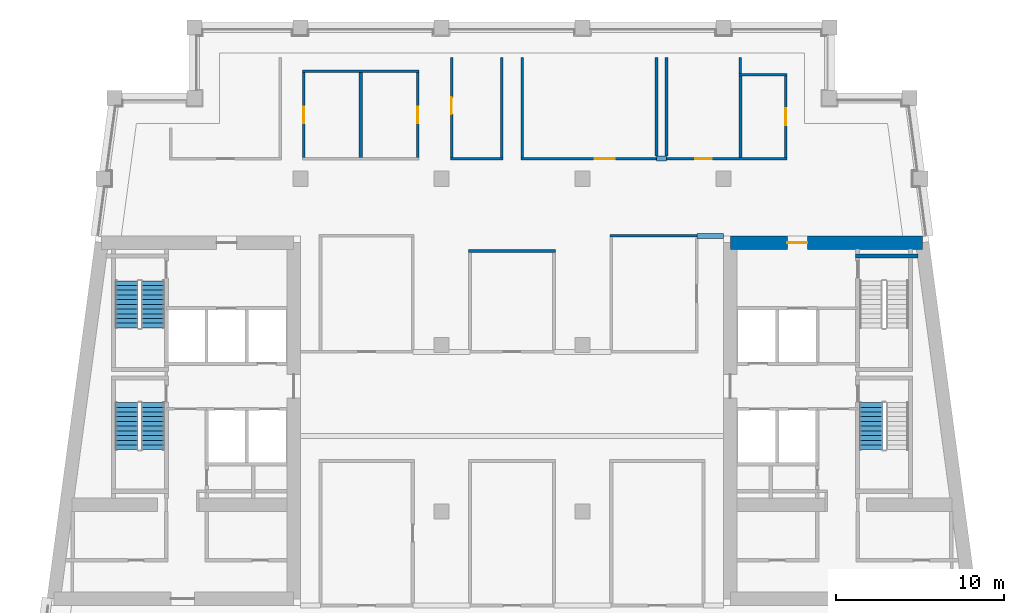
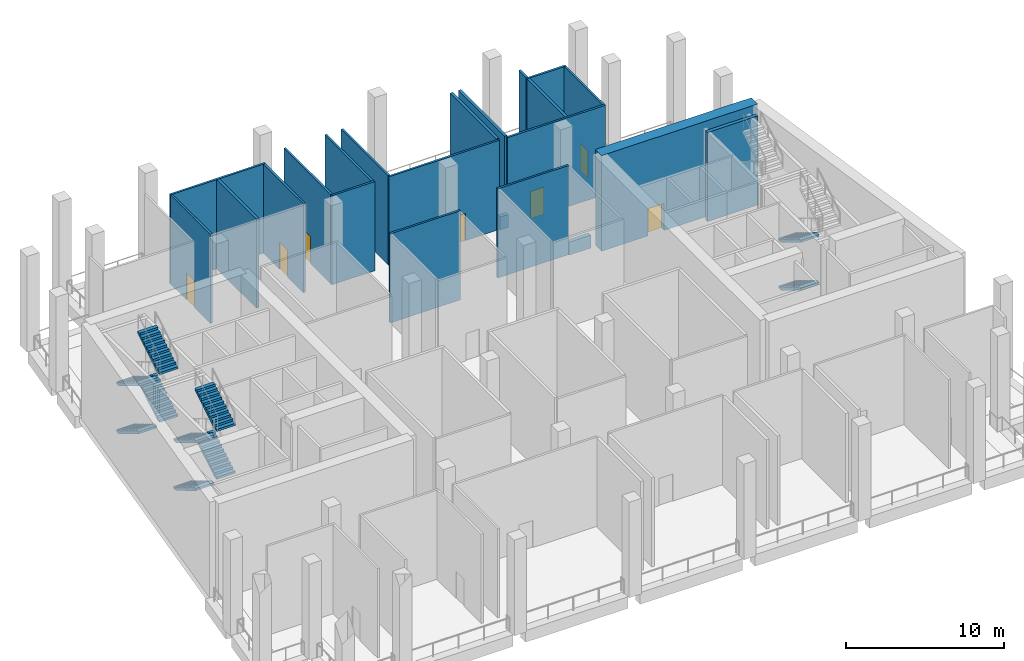
# One storey, part 5 of 10: 22 walls, 10 stair flights, 7 doors, 7 openings, 3 elements without a shape of their own.
"""IFC4 building model written with IfcOpenShell, lengths in metres."""

from ifc_helpers import new_model, si_unit, direction, frame, frame_2d, origin, place, context, subcontext, project, spatial, polyline, rectangle, outline, extrude, material, layer, layer_set, type_object, element, fill, aggregate, save


model = new_model("IFC4")

# Units and contexts
model_context = context("Model", 3, precision=1e-05, world=origin(), true_north=direction((0.0, 1.0)))
body_context = subcontext(model_context, "Body", "Model", "MODEL_VIEW")
ifc_project = project(units=[si_unit("LENGTHUNIT", "METRE"), si_unit("AREAUNIT", "SQUARE_METRE"), si_unit("VOLUMEUNIT", "CUBIC_METRE"), si_unit("PLANEANGLEUNIT", "RADIAN"), si_unit("MASSUNIT", "GRAM", prefix="KILO")], contexts=[model_context])

# Site, building, storey
site_placement = place(None, origin())
site = spatial("IfcSite", under=ifc_project, at=site_placement, CompositionType="ELEMENT")
building_placement = place(site_placement, origin())
building = spatial("IfcBuilding", under=site, at=building_placement, Name="Candeia Pilgrim Tower and Theatre", CompositionType="ELEMENT")
storey_placement = place(building_placement, frame((0.0, 0.0, 246.60009765625)))
storey = spatial("IfcBuildingStorey", under=building, at=storey_placement, Name="L60", CompositionType="ELEMENT", Elevation=246.60009765625)

# Wall, opening, door
ifc_material_1 = material(Name="Concrete C50/60", Category="concrete")
ifc_layer_1 = layer(ifc_material_1, 0.800048828125)
ifc_layer_set_1 = layer_set([ifc_layer_1], Name="Core wall 800 C50/60")
wall_type_1 = type_object("IfcWallType", Name="Core wall 800 C50/60", PredefinedType="SHEAR", material=ifc_layer_set_1)
wall_1_placement = place(storey_placement, frame((126.39990234375, 132.0, 0.0), z_axis=(0.0, 0.0, 1.0), x_axis=(1.0, 0.0, 0.0)))
wall_1 = element("IfcWall", 1, at=wall_1_placement, inside=storey, type_object=wall_type_1, Name="Core wall E1", PredefinedType="SHEAR", context=body_context, shape_type="SweptSolid", body=[
    extrude(rectangle(XDim=11.419677734375, YDim=0.800048828125, at=frame_2d((5.7099609375, 0.0))), origin(), (0.0, 0.0, 1.0), 7.39990234375),
])
opening_1_placement = place(wall_1_placement, frame((3.386474609375, 0.0, 0.0)))
opening_1 = element("IfcOpeningElement", 2, at=opening_1_placement, cuts=wall_1, Name="Opening L60-D038", PredefinedType="OPENING", context=body_context, shape_type="SweptSolid", body=[
    extrude(rectangle(XDim=1.199951171875, YDim=2.10009765625, at=frame_2d((0.60009765625, 1.050048828125))), frame((0.0, 0.41015625, 0.0), z_axis=(0.0, -1.0, 0.0), x_axis=(1.0, 0.0, 0.0)), (0.0, 0.0, 1.0), 0.820068359375),
])
ifc_material_2 = material(Name="Steel fire door set", Category="steel")
door_type_1 = type_object("IfcDoorType", Name="D-1200-FD60", OperationType="NOTDEFINED", PredefinedType="DOOR", material=ifc_material_2)
door_1_placement = place(opening_1_placement, origin())
door_1 = element("IfcDoor", 3, at=door_1_placement, inside=storey, type_object=door_type_1, Name="Door L60-D038", OperationType="SINGLE_SWING_RIGHT", OverallHeight=2.10009765625, OverallWidth=1.199951171875, PredefinedType="DOOR", context=body_context, shape_type="SweptSolid", body=[
    extrude(rectangle(XDim=1.199951171875, YDim=2.10009765625, at=frame_2d((0.60009765625, 1.050048828125))), frame((0.0, 0.02490234375, 0.0), z_axis=(0.0, -1.0, 0.0), x_axis=(1.0, 0.0, 0.0)), (0.0, 0.0, 1.0), 0.050048828125),
])
fill(opening_1, door_1)

# Walls
ifc_material_3 = material(Name="Concrete C30/37", Category="concrete")
ifc_layer_2 = layer(ifc_material_3, 0.300048828125)
ifc_layer_set_2 = layer_set([ifc_layer_2], Name="PL-300 planter kerb")
wall_type_2 = type_object("IfcWallType", Name="PL-300 planter kerb", PredefinedType="PARTITIONING", material=ifc_layer_set_2)
wall_2_placement = place(storey_placement, frame((124.39990234375, 132.39990234375, 0.0), z_axis=(0.0, 0.0, 1.0), x_axis=(1.0, 0.0, 0.0)))
element("IfcWall", 4, at=wall_2_placement, inside=storey, type_object=wall_type_2, Name="Planter kerb L60-056", PredefinedType="PARTITIONING", context=body_context, shape_type="SweptSolid", body=[
    extrude(rectangle(XDim=1.60009765625, YDim=0.300048828125, at=frame_2d((0.800048828125, 0.0))), origin(), (0.0, 0.0, 1.0), 1.0),
])
wall_3_placement = place(storey_placement, frame((122.0, 137.0, 0.0), z_axis=(0.0, 0.0, 1.0), x_axis=(1.0, 0.0, 0.0)))
element("IfcWall", 5, at=wall_3_placement, inside=storey, type_object=wall_type_2, Name="Planter kerb L60-059", PredefinedType="PARTITIONING", context=body_context, shape_type="SweptSolid", body=[
    extrude(rectangle(XDim=0.60009765625, YDim=0.300048828125, at=frame_2d((0.300048828125, 0.0))), origin(), (0.0, 0.0, 1.0), 1.0),
])
ifc_material_4 = material(Name="Gypsum board partition on steel studs", Category="steel")
ifc_layer_3 = layer(ifc_material_4, 0.14990234375)
ifc_layer_set_3 = layer_set([ifc_layer_3], Name="PW-150 unit wall")
wall_type_3 = type_object("IfcWallType", Name="PW-150 unit wall", PredefinedType="PARTITIONING", material=ifc_layer_set_3)
wall_4_placement = place(storey_placement, frame((110.824951171875, 131.5, 0.0), z_axis=(0.0, 0.0, 1.0), x_axis=(1.0, 0.0, 0.0)))
element("IfcWall", 6, at=wall_4_placement, inside=storey, type_object=wall_type_3, Name="Unit wall L60-055", PredefinedType="PARTITIONING", context=body_context, shape_type="SweptSolid", body=[
    extrude(rectangle(XDim=5.150146484375, YDim=0.14990234375, at=frame_2d((2.5751953125, 0.0))), origin(), (0.0, 0.0, 1.0), 6.89990234375),
])
wall_5_placement = place(storey_placement, frame((119.22509765625, 132.39990234375, 0.0), z_axis=(0.0, 0.0, 1.0), x_axis=(1.0, 0.0, 0.0)))
element("IfcWall", 7, at=wall_5_placement, inside=storey, type_object=wall_type_3, Name="Unit wall L60-058", PredefinedType="PARTITIONING", context=body_context, shape_type="SweptSolid", body=[
    extrude(rectangle(XDim=5.1748046875, YDim=0.14990234375, at=frame_2d((2.58740234375, 0.0))), origin(), (0.0, 0.0, 1.0), 6.89990234375),
])
wall_6_placement = place(storey_placement, frame((109.72509765625, 137.0, 0.0), z_axis=(0.0, 0.0, 1.0), x_axis=(1.0, 0.0, 0.0)))
element("IfcWall", 8, at=wall_6_placement, inside=storey, type_object=wall_type_3, Name="Unit wall L60-062", PredefinedType="PARTITIONING", context=body_context, shape_type="SweptSolid", body=[
    extrude(rectangle(XDim=3.14990234375, YDim=0.14990234375, at=frame_2d((1.574951171875, 0.0))), origin(), (0.0, 0.0, 1.0), 6.89990234375),
])

# Wall, opening, door
wall_7_placement = place(storey_placement, frame((113.925048828125, 137.0, 0.0), z_axis=(0.0, 0.0, 1.0), x_axis=(1.0, 0.0, 0.0)))
wall_7 = element("IfcWall", 9, at=wall_7_placement, inside=storey, type_object=wall_type_3, Name="Unit wall L60-063", PredefinedType="PARTITIONING", context=body_context, shape_type="SweptSolid", body=[
    extrude(rectangle(XDim=8.074951171875, YDim=0.14990234375, at=frame_2d((4.03759765625, 0.0))), origin(), (0.0, 0.0, 1.0), 6.89990234375),
])
opening_2_placement = place(wall_7_placement, frame((4.389892578125, 0.0, 0.0)))
opening_2 = element("IfcOpeningElement", 10, at=opening_2_placement, cuts=wall_7, Name="Opening L60-D004", PredefinedType="OPENING", context=body_context, shape_type="SweptSolid", body=[
    extrude(rectangle(XDim=1.199951171875, YDim=2.10009765625, at=frame_2d((0.60009765625, 1.050048828125))), frame((0.0, 0.0849609375, 0.0), z_axis=(0.0, -1.0, 0.0), x_axis=(1.0, 0.0, 0.0)), (0.0, 0.0, 1.0), 0.169921875),
])
ifc_material_5 = material(Name="Timber door leaf", Category="wood")
door_type_2 = type_object("IfcDoorType", Name="D-1200", OperationType="NOTDEFINED", PredefinedType="DOOR", material=ifc_material_5)
door_2_placement = place(opening_2_placement, origin())
door_2 = element("IfcDoor", 11, at=door_2_placement, inside=storey, type_object=door_type_2, Name="Door L60-D004", OperationType="SINGLE_SWING_RIGHT", OverallHeight=2.10009765625, OverallWidth=1.199951171875, PredefinedType="DOOR", context=body_context, shape_type="SweptSolid", body=[
    extrude(rectangle(XDim=1.199951171875, YDim=2.10009765625, at=frame_2d((0.60009765625, 1.050048828125))), frame((0.0, 0.02490234375, 0.0), z_axis=(0.0, -1.0, 0.0), x_axis=(1.0, 0.0, 0.0)), (0.0, 0.0, 1.0), 0.050048828125),
])
fill(opening_2, door_2)

wall_8_placement = place(storey_placement, frame((122.60009765625, 137.0, 0.0), z_axis=(0.0, 0.0, 1.0), x_axis=(1.0, 0.0, 0.0)))
wall_8 = element("IfcWall", 12, at=wall_8_placement, inside=storey, type_object=wall_type_3, Name="Unit wall L60-064", PredefinedType="PARTITIONING", context=body_context, shape_type="SweptSolid", body=[
    extrude(rectangle(XDim=7.1748046875, YDim=0.14990234375, at=frame_2d((3.58740234375, 0.0))), origin(), (0.0, 0.0, 1.0), 6.89990234375),
])
opening_3_placement = place(wall_8_placement, frame((1.699951171875, 0.0, 0.0)))
opening_3 = element("IfcOpeningElement", 13, at=opening_3_placement, cuts=wall_8, Name="Opening L60-D009", PredefinedType="OPENING", context=body_context, shape_type="SweptSolid", body=[
    extrude(rectangle(XDim=1.0, YDim=2.10009765625, at=frame_2d((0.5, 1.050048828125))), frame((0.0, 0.0849609375, 0.0), z_axis=(0.0, -1.0, 0.0), x_axis=(1.0, 0.0, 0.0)), (0.0, 0.0, 1.0), 0.169921875),
])
door_type_3 = type_object("IfcDoorType", Name="D-1000", OperationType="NOTDEFINED", PredefinedType="DOOR", material=ifc_material_5)
door_3_placement = place(opening_3_placement, origin())
door_3 = element("IfcDoor", 14, at=door_3_placement, inside=storey, type_object=door_type_3, Name="Door L60-D009", OperationType="SINGLE_SWING_LEFT", OverallHeight=2.10009765625, OverallWidth=1.0, PredefinedType="DOOR", context=body_context, shape_type="SweptSolid", body=[
    extrude(rectangle(XDim=1.0, YDim=2.10009765625, at=frame_2d((0.5, 1.050048828125))), frame((0.0, 0.02490234375, 0.0), z_axis=(0.0, -1.0, 0.0), x_axis=(1.0, 0.0, 0.0)), (0.0, 0.0, 1.0), 0.050048828125),
])
fill(opening_3, door_3)

# Walls
wall_9_placement = place(storey_placement, frame((126.89990234375, 142.0, 0.0), z_axis=(0.0, 0.0, 1.0), x_axis=(1.0, 0.0, 0.0)))
element("IfcWall", 15, at=wall_9_placement, inside=storey, type_object=wall_type_3, Name="Unit wall L60-065", PredefinedType="PARTITIONING", context=body_context, shape_type="SweptSolid", body=[
    extrude(rectangle(XDim=2.875, YDim=0.14990234375, at=frame_2d((1.4375, 0.0))), origin(), (0.0, 0.0, 1.0), 6.89990234375),
])
wall_10_placement = place(storey_placement, frame((100.925048828125, 142.199951171875, 0.0), z_axis=(0.0, 0.0, 1.0), x_axis=(1.0, 0.0, 0.0)))
element("IfcWall", 16, at=wall_10_placement, inside=storey, type_object=wall_type_3, Name="Unit wall L60-066", PredefinedType="PARTITIONING", context=body_context, shape_type="SweptSolid", body=[
    extrude(rectangle(XDim=6.949951171875, YDim=0.14990234375, at=frame_2d((3.47509765625, 0.0))), origin(), (0.0, 0.0, 1.0), 6.89990234375),
])

# Wall, opening, door
wall_11_placement = place(storey_placement, frame((101.0, 137.074951171875, 0.0), z_axis=(0.0, 0.0, 1.0), x_axis=(0.0, 1.0, 0.0)))
wall_11 = element("IfcWall", 17, at=wall_11_placement, inside=storey, type_object=wall_type_3, Name="Unit wall L60-089", PredefinedType="PARTITIONING", context=body_context, shape_type="SweptSolid", body=[
    extrude(rectangle(XDim=5.050048828125, YDim=0.14990234375, at=frame_2d((2.52490234375, 0.0))), origin(), (0.0, 0.0, 1.0), 6.89990234375),
])
opening_4_placement = place(wall_11_placement, frame((2.02490234375, 0.0, 0.0)))
opening_4 = element("IfcOpeningElement", 18, at=opening_4_placement, cuts=wall_11, Name="Opening L60-D005", PredefinedType="OPENING", context=body_context, shape_type="SweptSolid", body=[
    extrude(rectangle(XDim=1.0, YDim=2.10009765625, at=frame_2d((0.5, 1.050048828125))), frame((0.0, 0.0849609375, 0.0), z_axis=(0.0, -1.0, 0.0), x_axis=(1.0, 0.0, 0.0)), (0.0, 0.0, 1.0), 0.169921875),
])
door_4_placement = place(opening_4_placement, origin())
door_4 = element("IfcDoor", 19, at=door_4_placement, inside=storey, type_object=door_type_3, Name="Door L60-D005", OperationType="SINGLE_SWING_LEFT", OverallHeight=2.10009765625, OverallWidth=1.0, PredefinedType="DOOR", context=body_context, shape_type="SweptSolid", body=[
    extrude(rectangle(XDim=1.0, YDim=2.10009765625, at=frame_2d((0.5, 1.050048828125))), frame((0.0, 0.02490234375, 0.0), z_axis=(0.0, -1.0, 0.0), x_axis=(1.0, 0.0, 0.0)), (0.0, 0.0, 1.0), 0.050048828125),
])
fill(opening_4, door_4)

wall_12_placement = place(storey_placement, frame((107.800048828125, 137.074951171875, 0.0), z_axis=(0.0, 0.0, 1.0), x_axis=(0.0, 1.0, 0.0)))
wall_12 = element("IfcWall", 20, at=wall_12_placement, inside=storey, type_object=wall_type_3, Name="Unit wall L60-095", PredefinedType="PARTITIONING", context=body_context, shape_type="SweptSolid", body=[
    extrude(rectangle(XDim=5.050048828125, YDim=0.14990234375, at=frame_2d((2.52490234375, 0.0))), origin(), (0.0, 0.0, 1.0), 6.89990234375),
])
opening_5_placement = place(wall_12_placement, frame((2.02490234375, 0.0, 0.0)))
opening_5 = element("IfcOpeningElement", 21, at=opening_5_placement, cuts=wall_12, Name="Opening L60-D006", PredefinedType="OPENING", context=body_context, shape_type="SweptSolid", body=[
    extrude(rectangle(XDim=1.0, YDim=2.10009765625, at=frame_2d((0.5, 1.050048828125))), frame((0.0, 0.0849609375, 0.0), z_axis=(0.0, -1.0, 0.0), x_axis=(1.0, 0.0, 0.0)), (0.0, 0.0, 1.0), 0.169921875),
])
door_5_placement = place(opening_5_placement, origin())
door_5 = element("IfcDoor", 22, at=door_5_placement, inside=storey, type_object=door_type_3, Name="Door L60-D006", OperationType="SINGLE_SWING_RIGHT", OverallHeight=2.10009765625, OverallWidth=1.0, PredefinedType="DOOR", context=body_context, shape_type="SweptSolid", body=[
    extrude(rectangle(XDim=1.0, YDim=2.10009765625, at=frame_2d((0.5, 1.050048828125))), frame((0.0, 0.02490234375, 0.0), z_axis=(0.0, -1.0, 0.0), x_axis=(1.0, 0.0, 0.0)), (0.0, 0.0, 1.0), 0.050048828125),
])
fill(opening_5, door_5)

wall_13_placement = place(storey_placement, frame((109.800048828125, 137.074951171875, 0.0), z_axis=(0.0, 0.0, 1.0), x_axis=(0.0, 1.0, 0.0)))
wall_13 = element("IfcWall", 23, at=wall_13_placement, inside=storey, type_object=wall_type_3, Name="Unit wall L60-096", PredefinedType="PARTITIONING", context=body_context, shape_type="SweptSolid", body=[
    extrude(rectangle(XDim=5.93505859375, YDim=0.14990234375, at=frame_2d((2.967529296875, 0.0))), origin(), (0.0, 0.0, 1.0), 6.89990234375),
])
opening_6_placement = place(wall_13_placement, frame((2.574951171875, 0.0, 0.0)))
opening_6 = element("IfcOpeningElement", 24, at=opening_6_placement, cuts=wall_13, Name="Opening L60-D007", PredefinedType="OPENING", context=body_context, shape_type="SweptSolid", body=[
    extrude(rectangle(XDim=1.0, YDim=2.10009765625, at=frame_2d((0.5, 1.050048828125))), frame((0.0, 0.0849609375, 0.0), z_axis=(0.0, -1.0, 0.0), x_axis=(1.0, 0.0, 0.0)), (0.0, 0.0, 1.0), 0.169921875),
])
door_6_placement = place(opening_6_placement, origin())
door_6 = element("IfcDoor", 25, at=door_6_placement, inside=storey, type_object=door_type_3, Name="Door L60-D007", OperationType="SINGLE_SWING_LEFT", OverallHeight=2.10009765625, OverallWidth=1.0, PredefinedType="DOOR", context=body_context, shape_type="SweptSolid", body=[
    extrude(rectangle(XDim=1.0, YDim=2.10009765625, at=frame_2d((0.5, 1.050048828125))), frame((0.0, 0.02490234375, 0.0), z_axis=(0.0, -1.0, 0.0), x_axis=(1.0, 0.0, 0.0)), (0.0, 0.0, 1.0), 0.050048828125),
])
fill(opening_6, door_6)

# Walls
for number, where, z_axis, x_axis, name in (
    (26, (112.800048828125, 137.074951171875, 0.0), (0.0, 0.0, 1.0), (0.0, 1.0, 0.0), "Unit wall L60-101"),
    (27, (114.0, 137.074951171875, 0.0), (0.0, 0.0, 1.0), (0.0, 1.0, 0.0), "Unit wall L60-102"),
):
    element("IfcWall", number, at=place(storey_placement, frame(where, z_axis=z_axis, x_axis=x_axis)), inside=storey, type_object=wall_type_3, Name=name, PredefinedType="PARTITIONING", context=body_context, shape_type="SweptSolid", body=[
        extrude(rectangle(XDim=5.93505859375, YDim=0.14990234375, at=frame_2d((2.967529296875, 0.0))), origin(), (0.0, 0.0, 1.0), 6.89990234375),
    ])
wall_14_placement = place(storey_placement, frame((127.0, 142.074951171875, 0.0), z_axis=(0.0, 0.0, 1.0), x_axis=(0.0, 1.0, 0.0)))
element("IfcWall", 28, at=wall_14_placement, inside=storey, type_object=wall_type_3, Name="Unit wall L60-116", PredefinedType="PARTITIONING", context=body_context, shape_type="SweptSolid", body=[
    extrude(rectangle(XDim=0.93505859375, YDim=0.14990234375, at=frame_2d((0.467529296875, 0.0))), origin(), (0.0, 0.0, 1.0), 6.89990234375),
])

# Wall, opening, door
wall_15_placement = place(storey_placement, frame((129.699951171875, 137.074951171875, 0.0), z_axis=(0.0, 0.0, 1.0), x_axis=(0.0, 1.0, 0.0)))
wall_15 = element("IfcWall", 29, at=wall_15_placement, inside=storey, type_object=wall_type_3, Name="Unit wall L60-120", PredefinedType="PARTITIONING", context=body_context, shape_type="SweptSolid", body=[
    extrude(rectangle(XDim=4.85009765625, YDim=0.14990234375, at=frame_2d((2.425048828125, 0.0))), origin(), (0.0, 0.0, 1.0), 6.89990234375),
])
opening_7_placement = place(wall_15_placement, frame((1.925048828125, 0.0, 0.0)))
opening_7 = element("IfcOpeningElement", 30, at=opening_7_placement, cuts=wall_15, Name="Opening L60-D015", PredefinedType="OPENING", context=body_context, shape_type="SweptSolid", body=[
    extrude(rectangle(XDim=1.0, YDim=2.10009765625, at=frame_2d((0.5, 1.050048828125))), frame((0.0, 0.0849609375, 0.0), z_axis=(0.0, -1.0, 0.0), x_axis=(1.0, 0.0, 0.0)), (0.0, 0.0, 1.0), 0.169921875),
])
door_7_placement = place(opening_7_placement, origin())
door_7 = element("IfcDoor", 31, at=door_7_placement, inside=storey, type_object=door_type_3, Name="Door L60-D015", OperationType="SINGLE_SWING_LEFT", OverallHeight=2.10009765625, OverallWidth=1.0, PredefinedType="DOOR", context=body_context, shape_type="SweptSolid", body=[
    extrude(rectangle(XDim=1.0, YDim=2.10009765625, at=frame_2d((0.5, 1.050048828125))), frame((0.0, 0.02490234375, 0.0), z_axis=(0.0, -1.0, 0.0), x_axis=(1.0, 0.0, 0.0)), (0.0, 0.0, 1.0), 0.050048828125),
])
fill(opening_7, door_7)

# Walls
ifc_layer_4 = layer(ifc_material_4, 0.199951171875)
ifc_layer_set_4 = layer_set([ifc_layer_4], Name="PW-200 party wall")
wall_type_4 = type_object("IfcWallType", Name="PW-200 party wall", PredefinedType="PARTITIONING", material=ifc_layer_set_4)
wall_16_placement = place(storey_placement, frame((104.39990234375, 137.074951171875, 0.0), z_axis=(0.0, 0.0, 1.0), x_axis=(0.0, 1.0, 0.0)))
element("IfcWall", 32, at=wall_16_placement, inside=storey, type_object=wall_type_4, Name="Party wall L60-092", PredefinedType="PARTITIONING", context=body_context, shape_type="SweptSolid", body=[
    extrude(rectangle(XDim=5.050048828125, YDim=0.199951171875, at=frame_2d((2.52490234375, 0.0))), origin(), (0.0, 0.0, 1.0), 6.89990234375),
])
for number, where, z_axis, x_axis, name in (
    (33, (122.0, 137.14990234375, 0.0), (0.0, 0.0, 1.0), (0.0, 1.0, 0.0), "Party wall L60-109"),
    (34, (122.60009765625, 137.14990234375, 0.0), (0.0, 0.0, 1.0), (0.0, 1.0, 0.0), "Party wall L60-110"),
):
    element("IfcWall", number, at=place(storey_placement, frame(where, z_axis=z_axis, x_axis=x_axis)), inside=storey, type_object=wall_type_4, Name=name, PredefinedType="PARTITIONING", context=body_context, shape_type="SweptSolid", body=[
        extrude(rectangle(XDim=5.860107421875, YDim=0.199951171875, at=frame_2d((2.93017578125, 0.0))), origin(), (0.0, 0.0, 1.0), 6.89990234375),
    ])
wall_17_placement = place(storey_placement, frame((127.0, 137.074951171875, 0.0), z_axis=(0.0, 0.0, 1.0), x_axis=(0.0, 1.0, 0.0)))
element("IfcWall", 35, at=wall_17_placement, inside=storey, type_object=wall_type_4, Name="Party wall L60-115", PredefinedType="PARTITIONING", context=body_context, shape_type="SweptSolid", body=[
    extrude(rectangle(XDim=4.85009765625, YDim=0.199951171875, at=frame_2d((2.425048828125, 0.0))), origin(), (0.0, 0.0, 1.0), 6.89990234375),
])
ifc_material_6 = material(Name="Concrete C40/50", Category="concrete")
ifc_layer_5 = layer(ifc_material_6, 0.25)
ifc_layer_set_5 = layer_set([ifc_layer_5], Name="SW-250 stair wall")
wall_type_5 = type_object("IfcWallType", Name="SW-250 stair wall", PredefinedType="PARTITIONING", material=ifc_layer_set_5)
wall_18_placement = place(storey_placement, frame((133.847900390625, 131.199951171875, 0.0), z_axis=(0.0, 0.0, 1.0), x_axis=(1.0, 0.0, 0.0)))
element("IfcWall", 36, at=wall_18_placement, inside=storey, type_object=wall_type_5, Name="Stair wall L60-054", PredefinedType="PARTITIONING", context=body_context, shape_type="SweptSolid", body=[
    extrude(rectangle(XDim=3.705810546875, YDim=0.25, at=frame_2d((1.85302734375, 0.0))), origin(), (0.0, 0.0, 1.0), 6.89990234375),
])

# Stair, stair flights
stair_type = type_object("IfcStairType", Name="ST-TWR dog-leg escape stair", PredefinedType="HALF_TURN_STAIR", material=ifc_material_6)
stair_1_placement = place(storey_placement, origin())
stair_1 = element("IfcStair", 37, at=stair_1_placement, inside=storey, type_object=stair_type, Name="L60 Escape stair ST1", PredefinedType="HALF_TURN_STAIR")
stair_flight_type = type_object("IfcStairFlightType", Name="SFL-RC stair flight", PredefinedType="STRAIGHT", material=ifc_material_6)
stair_flight_1_placement = place(storey_placement, frame((90.47705078125, 122.47509765625, 0.0), z_axis=(0.0, 0.0, 1.0), x_axis=(0.0, -1.0, 0.0)))
stair_flight_1 = element("IfcStairFlight", 38, at=stair_flight_1_placement, type_object=stair_flight_type, Name="ST1 flight 1", NumberOfRisers=11, NumberOfTreads=10, PredefinedType="STRAIGHT", RiserHeight=0.168181818, TreadLength=0.28, context=body_context, shape_type="SweptSolid", body=[
    extrude(outline(polyline([(0.0, 0.0), (0.0, 0.168212890625), (0.280029296875, 0.168212890625), (0.280029296875, 0.33642578125), (0.56005859375, 0.33642578125), (0.56005859375, 0.504638671875), (0.840087890625, 0.504638671875), (0.840087890625, 0.672607421875), (1.1201171875, 0.672607421875), (1.1201171875, 0.8408203125), (1.39990234375, 0.8408203125), (1.39990234375, 1.009033203125), (1.679931640625, 1.009033203125), (1.679931640625, 1.17724609375), (1.9599609375, 1.17724609375), (1.9599609375, 1.345458984375), (2.239990234375, 1.345458984375), (2.239990234375, 1.513671875), (2.52001953125, 1.513671875), (2.52001953125, 1.681884765625), (2.800048828125, 1.681884765625), (2.800048828125, 1.85009765625), (2.800048828125, 1.5068359375), (0.291015625, 0.0), (0.0, 0.0)])), frame((0.0, 0.675048828125, 0.0), z_axis=(0.0, -1.0, 0.0), x_axis=(1.0, 0.0, 0.0)), (0.0, 0.0, 1.0), 1.35009765625),
])
stair_flight_2_placement = place(storey_placement, frame((92.027099609375, 119.675048828125, 1.849853515625), z_axis=(0.0, 0.0, 1.0), x_axis=(0.0, 1.0, 0.0)))
stair_flight_2 = element("IfcStairFlight", 39, at=stair_flight_2_placement, type_object=stair_flight_type, Name="ST1 flight 2", NumberOfRisers=11, NumberOfTreads=10, PredefinedType="STRAIGHT", RiserHeight=0.168181818, TreadLength=0.28, context=body_context, shape_type="SweptSolid", body=[
    extrude(outline(polyline([(0.0, 0.0), (0.0, 0.168212890625), (0.280029296875, 0.168212890625), (0.280029296875, 0.33642578125), (0.56005859375, 0.33642578125), (0.56005859375, 0.504638671875), (0.840087890625, 0.504638671875), (0.840087890625, 0.672607421875), (1.1201171875, 0.672607421875), (1.1201171875, 0.8408203125), (1.39990234375, 0.8408203125), (1.39990234375, 1.009033203125), (1.679931640625, 1.009033203125), (1.679931640625, 1.17724609375), (1.9599609375, 1.17724609375), (1.9599609375, 1.345458984375), (2.239990234375, 1.345458984375), (2.239990234375, 1.513671875), (2.52001953125, 1.513671875), (2.52001953125, 1.681884765625), (2.800048828125, 1.681884765625), (2.800048828125, 1.85009765625), (2.800048828125, 1.5068359375), (0.291015625, 0.0), (0.0, 0.0)])), frame((0.0, 0.675048828125, 0.0), z_axis=(0.0, -1.0, 0.0), x_axis=(1.0, 0.0, 0.0)), (0.0, 0.0, 1.0), 1.35009765625),
])
stair_flight_3_placement = place(storey_placement, frame((90.47705078125, 122.47509765625, 3.699951171875), z_axis=(0.0, 0.0, 1.0), x_axis=(0.0, -1.0, 0.0)))
stair_flight_3 = element("IfcStairFlight", 40, at=stair_flight_3_placement, type_object=stair_flight_type, Name="ST1 flight 3", NumberOfRisers=11, NumberOfTreads=10, PredefinedType="STRAIGHT", RiserHeight=0.168181818, TreadLength=0.28, context=body_context, shape_type="SweptSolid", body=[
    extrude(outline(polyline([(0.0, 0.0), (0.0, 0.168212890625), (0.280029296875, 0.168212890625), (0.280029296875, 0.33642578125), (0.56005859375, 0.33642578125), (0.56005859375, 0.504638671875), (0.840087890625, 0.504638671875), (0.840087890625, 0.672607421875), (1.1201171875, 0.672607421875), (1.1201171875, 0.8408203125), (1.39990234375, 0.8408203125), (1.39990234375, 1.009033203125), (1.679931640625, 1.009033203125), (1.679931640625, 1.17724609375), (1.9599609375, 1.17724609375), (1.9599609375, 1.345458984375), (2.239990234375, 1.345458984375), (2.239990234375, 1.513671875), (2.52001953125, 1.513671875), (2.52001953125, 1.681884765625), (2.800048828125, 1.681884765625), (2.800048828125, 1.85009765625), (2.800048828125, 1.5068359375), (0.291015625, 0.0), (0.0, 0.0)])), frame((0.0, 0.675048828125, 0.0), z_axis=(0.0, -1.0, 0.0), x_axis=(1.0, 0.0, 0.0)), (0.0, 0.0, 1.0), 1.35009765625),
])
stair_flight_4_placement = place(storey_placement, frame((92.027099609375, 119.675048828125, 5.5498046875), z_axis=(0.0, 0.0, 1.0), x_axis=(0.0, 1.0, 0.0)))
stair_flight_4 = element("IfcStairFlight", 41, at=stair_flight_4_placement, type_object=stair_flight_type, Name="ST1 flight 4", NumberOfRisers=11, NumberOfTreads=10, PredefinedType="STRAIGHT", RiserHeight=0.168181818, TreadLength=0.28, context=body_context, shape_type="SweptSolid", body=[
    extrude(outline(polyline([(0.0, 0.0), (0.0, 0.168212890625), (0.280029296875, 0.168212890625), (0.280029296875, 0.33642578125), (0.56005859375, 0.33642578125), (0.56005859375, 0.504638671875), (0.840087890625, 0.504638671875), (0.840087890625, 0.672607421875), (1.1201171875, 0.672607421875), (1.1201171875, 0.8408203125), (1.39990234375, 0.8408203125), (1.39990234375, 1.009033203125), (1.679931640625, 1.009033203125), (1.679931640625, 1.17724609375), (1.9599609375, 1.17724609375), (1.9599609375, 1.345458984375), (2.239990234375, 1.345458984375), (2.239990234375, 1.513671875), (2.52001953125, 1.513671875), (2.52001953125, 1.681884765625), (2.800048828125, 1.681884765625), (2.800048828125, 1.85009765625), (2.800048828125, 1.5068359375), (0.291015625, 0.0), (0.0, 0.0)])), frame((0.0, 0.675048828125, 0.0), z_axis=(0.0, -1.0, 0.0), x_axis=(1.0, 0.0, 0.0)), (0.0, 0.0, 1.0), 1.35009765625),
])
aggregate(stair_1, [stair_flight_1, stair_flight_2, stair_flight_3, stair_flight_4])

stair_2_placement = place(storey_placement, origin())
stair_2 = element("IfcStair", 42, at=stair_2_placement, inside=storey, type_object=stair_type, Name="L60 Escape stair ST2", PredefinedType="HALF_TURN_STAIR")
stair_flight_5_placement = place(storey_placement, frame((90.47705078125, 129.72509765625, 0.0), z_axis=(0.0, 0.0, 1.0), x_axis=(0.0, -1.0, 0.0)))
stair_flight_5 = element("IfcStairFlight", 43, at=stair_flight_5_placement, type_object=stair_flight_type, Name="ST2 flight 1", NumberOfRisers=11, NumberOfTreads=10, PredefinedType="STRAIGHT", RiserHeight=0.168181818, TreadLength=0.28, context=body_context, shape_type="SweptSolid", body=[
    extrude(outline(polyline([(0.0, 0.0), (0.0, 0.168212890625), (0.280029296875, 0.168212890625), (0.280029296875, 0.33642578125), (0.56005859375, 0.33642578125), (0.56005859375, 0.504638671875), (0.840087890625, 0.504638671875), (0.840087890625, 0.672607421875), (1.1201171875, 0.672607421875), (1.1201171875, 0.8408203125), (1.39990234375, 0.8408203125), (1.39990234375, 1.009033203125), (1.679931640625, 1.009033203125), (1.679931640625, 1.17724609375), (1.9599609375, 1.17724609375), (1.9599609375, 1.345458984375), (2.239990234375, 1.345458984375), (2.239990234375, 1.513671875), (2.52001953125, 1.513671875), (2.52001953125, 1.681884765625), (2.800048828125, 1.681884765625), (2.800048828125, 1.85009765625), (2.800048828125, 1.5068359375), (0.291015625, 0.0), (0.0, 0.0)])), frame((0.0, 0.675048828125, 0.0), z_axis=(0.0, -1.0, 0.0), x_axis=(1.0, 0.0, 0.0)), (0.0, 0.0, 1.0), 1.35009765625),
])
stair_flight_6_placement = place(storey_placement, frame((92.027099609375, 126.925048828125, 1.849853515625), z_axis=(0.0, 0.0, 1.0), x_axis=(0.0, 1.0, 0.0)))
stair_flight_6 = element("IfcStairFlight", 44, at=stair_flight_6_placement, type_object=stair_flight_type, Name="ST2 flight 2", NumberOfRisers=11, NumberOfTreads=10, PredefinedType="STRAIGHT", RiserHeight=0.168181818, TreadLength=0.28, context=body_context, shape_type="SweptSolid", body=[
    extrude(outline(polyline([(0.0, 0.0), (0.0, 0.168212890625), (0.280029296875, 0.168212890625), (0.280029296875, 0.33642578125), (0.56005859375, 0.33642578125), (0.56005859375, 0.504638671875), (0.840087890625, 0.504638671875), (0.840087890625, 0.672607421875), (1.1201171875, 0.672607421875), (1.1201171875, 0.8408203125), (1.39990234375, 0.8408203125), (1.39990234375, 1.009033203125), (1.679931640625, 1.009033203125), (1.679931640625, 1.17724609375), (1.9599609375, 1.17724609375), (1.9599609375, 1.345458984375), (2.239990234375, 1.345458984375), (2.239990234375, 1.513671875), (2.52001953125, 1.513671875), (2.52001953125, 1.681884765625), (2.800048828125, 1.681884765625), (2.800048828125, 1.85009765625), (2.800048828125, 1.5068359375), (0.291015625, 0.0), (0.0, 0.0)])), frame((0.0, 0.675048828125, 0.0), z_axis=(0.0, -1.0, 0.0), x_axis=(1.0, 0.0, 0.0)), (0.0, 0.0, 1.0), 1.35009765625),
])
stair_flight_7_placement = place(storey_placement, frame((90.47705078125, 129.72509765625, 3.699951171875), z_axis=(0.0, 0.0, 1.0), x_axis=(0.0, -1.0, 0.0)))
stair_flight_7 = element("IfcStairFlight", 45, at=stair_flight_7_placement, type_object=stair_flight_type, Name="ST2 flight 3", NumberOfRisers=11, NumberOfTreads=10, PredefinedType="STRAIGHT", RiserHeight=0.168181818, TreadLength=0.28, context=body_context, shape_type="SweptSolid", body=[
    extrude(outline(polyline([(0.0, 0.0), (0.0, 0.168212890625), (0.280029296875, 0.168212890625), (0.280029296875, 0.33642578125), (0.56005859375, 0.33642578125), (0.56005859375, 0.504638671875), (0.840087890625, 0.504638671875), (0.840087890625, 0.672607421875), (1.1201171875, 0.672607421875), (1.1201171875, 0.8408203125), (1.39990234375, 0.8408203125), (1.39990234375, 1.009033203125), (1.679931640625, 1.009033203125), (1.679931640625, 1.17724609375), (1.9599609375, 1.17724609375), (1.9599609375, 1.345458984375), (2.239990234375, 1.345458984375), (2.239990234375, 1.513671875), (2.52001953125, 1.513671875), (2.52001953125, 1.681884765625), (2.800048828125, 1.681884765625), (2.800048828125, 1.85009765625), (2.800048828125, 1.5068359375), (0.291015625, 0.0), (0.0, 0.0)])), frame((0.0, 0.675048828125, 0.0), z_axis=(0.0, -1.0, 0.0), x_axis=(1.0, 0.0, 0.0)), (0.0, 0.0, 1.0), 1.35009765625),
])
stair_flight_8_placement = place(storey_placement, frame((92.027099609375, 126.925048828125, 5.5498046875), z_axis=(0.0, 0.0, 1.0), x_axis=(0.0, 1.0, 0.0)))
stair_flight_8 = element("IfcStairFlight", 46, at=stair_flight_8_placement, type_object=stair_flight_type, Name="ST2 flight 4", NumberOfRisers=11, NumberOfTreads=10, PredefinedType="STRAIGHT", RiserHeight=0.168181818, TreadLength=0.28, context=body_context, shape_type="SweptSolid", body=[
    extrude(outline(polyline([(0.0, 0.0), (0.0, 0.168212890625), (0.280029296875, 0.168212890625), (0.280029296875, 0.33642578125), (0.56005859375, 0.33642578125), (0.56005859375, 0.504638671875), (0.840087890625, 0.504638671875), (0.840087890625, 0.672607421875), (1.1201171875, 0.672607421875), (1.1201171875, 0.8408203125), (1.39990234375, 0.8408203125), (1.39990234375, 1.009033203125), (1.679931640625, 1.009033203125), (1.679931640625, 1.17724609375), (1.9599609375, 1.17724609375), (1.9599609375, 1.345458984375), (2.239990234375, 1.345458984375), (2.239990234375, 1.513671875), (2.52001953125, 1.513671875), (2.52001953125, 1.681884765625), (2.800048828125, 1.681884765625), (2.800048828125, 1.85009765625), (2.800048828125, 1.5068359375), (0.291015625, 0.0), (0.0, 0.0)])), frame((0.0, 0.675048828125, 0.0), z_axis=(0.0, -1.0, 0.0), x_axis=(1.0, 0.0, 0.0)), (0.0, 0.0, 1.0), 1.35009765625),
])
aggregate(stair_2, [stair_flight_5, stair_flight_6, stair_flight_7, stair_flight_8])

stair_3_placement = place(storey_placement, origin())
stair_3 = element("IfcStair", 47, at=stair_3_placement, inside=storey, type_object=stair_type, Name="L60 Escape stair ST3", PredefinedType="HALF_TURN_STAIR")
stair_flight_9_placement = place(storey_placement, frame((134.77294921875, 122.47509765625, 0.0), z_axis=(0.0, 0.0, 1.0), x_axis=(0.0, -1.0, 0.0)))
stair_flight_9 = element("IfcStairFlight", 48, at=stair_flight_9_placement, type_object=stair_flight_type, Name="ST3 flight 1", NumberOfRisers=11, NumberOfTreads=10, PredefinedType="STRAIGHT", RiserHeight=0.168181818, TreadLength=0.28, context=body_context, shape_type="SweptSolid", body=[
    extrude(outline(polyline([(0.0, 0.0), (0.0, 0.168212890625), (0.280029296875, 0.168212890625), (0.280029296875, 0.33642578125), (0.56005859375, 0.33642578125), (0.56005859375, 0.504638671875), (0.840087890625, 0.504638671875), (0.840087890625, 0.672607421875), (1.1201171875, 0.672607421875), (1.1201171875, 0.8408203125), (1.39990234375, 0.8408203125), (1.39990234375, 1.009033203125), (1.679931640625, 1.009033203125), (1.679931640625, 1.17724609375), (1.9599609375, 1.17724609375), (1.9599609375, 1.345458984375), (2.239990234375, 1.345458984375), (2.239990234375, 1.513671875), (2.52001953125, 1.513671875), (2.52001953125, 1.681884765625), (2.800048828125, 1.681884765625), (2.800048828125, 1.85009765625), (2.800048828125, 1.5068359375), (0.291015625, 0.0), (0.0, 0.0)])), frame((0.0, 0.675048828125, 0.0), z_axis=(0.0, -1.0, 0.0), x_axis=(1.0, 0.0, 0.0)), (0.0, 0.0, 1.0), 1.35009765625),
])
stair_flight_10_placement = place(storey_placement, frame((134.77294921875, 122.47509765625, 3.699951171875), z_axis=(0.0, 0.0, 1.0), x_axis=(0.0, -1.0, 0.0)))
stair_flight_10 = element("IfcStairFlight", 49, at=stair_flight_10_placement, type_object=stair_flight_type, Name="ST3 flight 3", NumberOfRisers=11, NumberOfTreads=10, PredefinedType="STRAIGHT", RiserHeight=0.168181818, TreadLength=0.28, context=body_context, shape_type="SweptSolid", body=[
    extrude(outline(polyline([(0.0, 0.0), (0.0, 0.168212890625), (0.280029296875, 0.168212890625), (0.280029296875, 0.33642578125), (0.56005859375, 0.33642578125), (0.56005859375, 0.504638671875), (0.840087890625, 0.504638671875), (0.840087890625, 0.672607421875), (1.1201171875, 0.672607421875), (1.1201171875, 0.8408203125), (1.39990234375, 0.8408203125), (1.39990234375, 1.009033203125), (1.679931640625, 1.009033203125), (1.679931640625, 1.17724609375), (1.9599609375, 1.17724609375), (1.9599609375, 1.345458984375), (2.239990234375, 1.345458984375), (2.239990234375, 1.513671875), (2.52001953125, 1.513671875), (2.52001953125, 1.681884765625), (2.800048828125, 1.681884765625), (2.800048828125, 1.85009765625), (2.800048828125, 1.5068359375), (0.291015625, 0.0), (0.0, 0.0)])), frame((0.0, 0.675048828125, 0.0), z_axis=(0.0, -1.0, 0.0), x_axis=(1.0, 0.0, 0.0)), (0.0, 0.0, 1.0), 1.35009765625),
])
aggregate(stair_3, [stair_flight_9, stair_flight_10])

save(model, "model.ifc")
